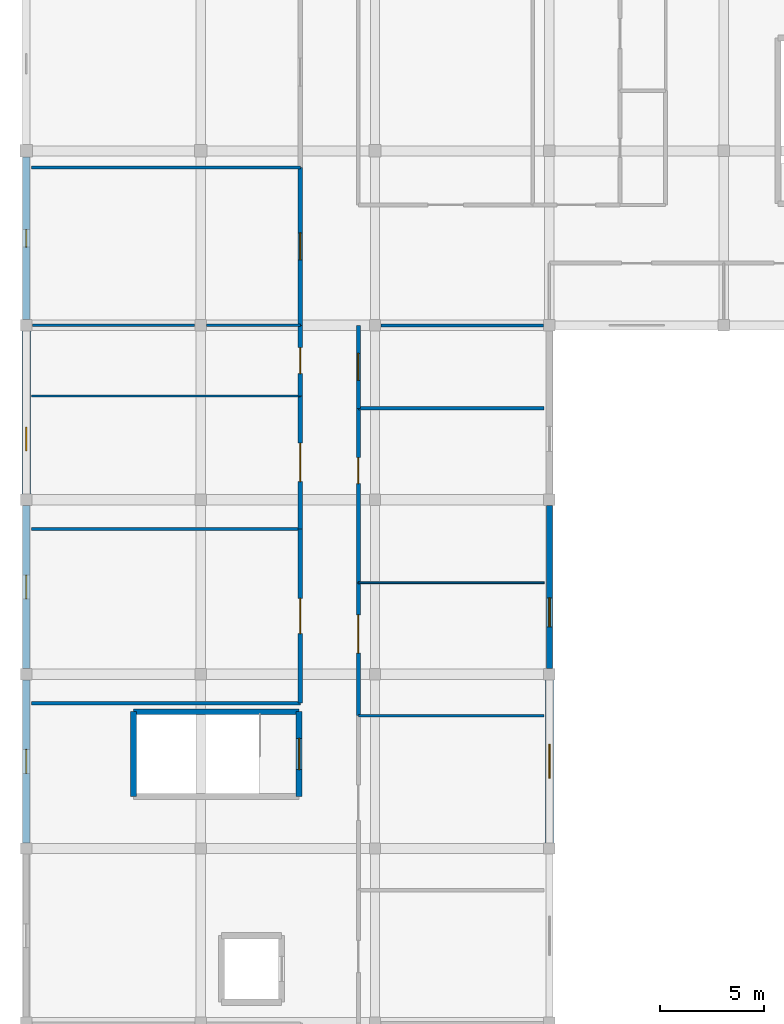
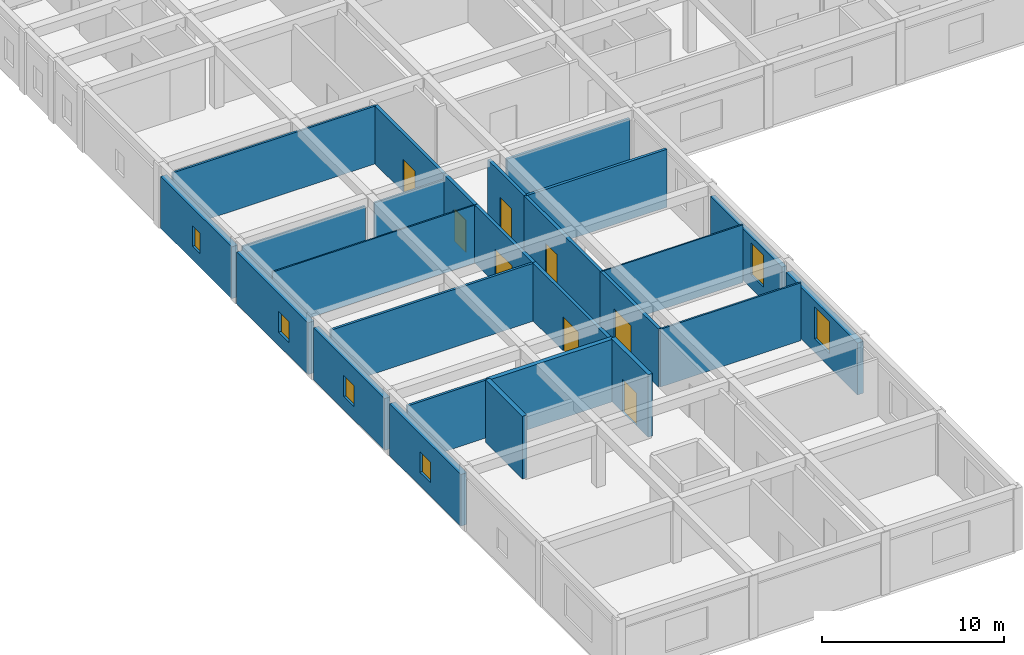
# One storey, part 45 of 77: 26 walls, 8 doors, 6 windows, 14 openings.
"""IFC4 building model written with IfcOpenShell, lengths in metres."""

from ifc_helpers import new_model, si_unit, direction, frame, frame_2d, origin, place, context, subcontext, project, spatial, rectangle, extrude, material, layer, layer_set, type_object, element, fill, save


model = new_model("IFC4")

# Units and contexts
model_context = context("Model", 3, precision=1e-05, world=origin(), true_north=direction((0.0, 1.0)))
body_context = subcontext(model_context, "Body", "Model", "MODEL_VIEW")
ifc_project = project(units=[si_unit("LENGTHUNIT", "METRE"), si_unit("AREAUNIT", "SQUARE_METRE"), si_unit("VOLUMEUNIT", "CUBIC_METRE"), si_unit("PLANEANGLEUNIT", "RADIAN"), si_unit("MASSUNIT", "GRAM", prefix="KILO")], contexts=[model_context])

# Site, building, storey
site_placement = place(None, origin())
site = spatial("IfcSite", under=ifc_project, at=site_placement, CompositionType="ELEMENT")
building_placement = place(site_placement, origin())
building = spatial("IfcBuilding", under=site, at=building_placement, Name="Varncliffe General Hospital", CompositionType="ELEMENT")
storey_placement = place(building_placement, frame((0.0, 0.0, 16.199951171875)))
storey = spatial("IfcBuildingStorey", under=building, at=storey_placement, Name="L03", CompositionType="ELEMENT", Elevation=16.199951171875)

# Wall, opening, window
ifc_material_1 = material(Name="Precast concrete C40/50 with insulated cream lime-cement stucco", Category="concrete")
ifc_layer_1 = layer(ifc_material_1, 0.3798828125)
ifc_layer_set_1 = layer_set([ifc_layer_1], Name="Precast concrete C40/50 with insulated cream lime-cement stucco")
wall_type_1 = type_object("IfcWallType", Name="Exterior Insulated Stucco Wall EW26 (380mm)", PredefinedType="SOLIDWALL", material=ifc_layer_set_1)
wall_1_placement = place(storey_placement, frame((25.199951171875, 65.72705078125, 0.0), z_axis=(0.0, 0.0, 1.0), x_axis=(0.0, -1.0, 0.0)))
wall_1 = element("IfcWall", 1, at=wall_1_placement, inside=storey, type_object=wall_type_1, Name="L03 Exterior Stucco Wall EW26-292", PredefinedType="SOLIDWALL", context=body_context, shape_type="SweptSolid", body=[
    extrude(rectangle(XDim=7.85400390625, YDim=0.3798828125, at=frame_2d((3.927001953125, 0.0))), origin(), (0.0, 0.0, 1.0), 3.47998046875),
])
opening_1_placement = place(wall_1_placement, frame((3.10205078125, 0.0, 0.89990234375)))
opening_1 = element("IfcOpeningElement", 2, at=opening_1_placement, cuts=wall_1, Name="Opening WN42", PredefinedType="OPENING", context=body_context, shape_type="SweptSolid", body=[
    extrude(rectangle(XDim=1.64990234375, YDim=2.14990234375, at=frame_2d((0.824951171875, 1.074951171875))), frame((0.0, 0.199951171875, 0.0), z_axis=(0.0, -1.0, 0.0), x_axis=(1.0, 0.0, 0.0)), (0.0, 0.0, 1.0), 0.39990234375),
])
ifc_material_2 = material(Name="Triple low-E argon insulated vision glazing", Category="glass")
window_type_1 = type_object("IfcWindowType", Name="Triple-Glazed Hospital Window WN42 (1650x2150)", PartitioningType="DOUBLE_PANEL_VERTICAL", PredefinedType="WINDOW", material=ifc_material_2)
window_1_placement = place(opening_1_placement, origin())
window_1 = element("IfcWindow", 3, at=window_1_placement, inside=storey, type_object=window_type_1, Name="L03 Hospital Window WN42-211", OverallHeight=2.14990234375, OverallWidth=1.64990234375, PartitioningType="DOUBLE_PANEL_VERTICAL", PredefinedType="WINDOW", context=body_context, shape_type="SweptSolid", body=[
    extrude(rectangle(XDim=1.64990234375, YDim=2.14990234375, at=frame_2d((0.824951171875, 1.074951171875))), frame((0.0, 0.030029296875, 0.0), z_axis=(0.0, -1.0, 0.0), x_axis=(1.0, 0.0, 0.0)), (0.0, 0.0, 1.0), 0.06005859375),
])
fill(opening_1, window_1)

wall_2_placement = place(storey_placement, frame((0.0, 57.873046875, 0.0), z_axis=(0.0, 0.0, 1.0), x_axis=(0.0, 1.0, 0.0)))
wall_2 = element("IfcWall", 4, at=wall_2_placement, inside=storey, type_object=wall_type_1, Name="L03 Exterior Stucco Wall EW26-300", PredefinedType="SOLIDWALL", context=body_context, shape_type="SweptSolid", body=[
    extrude(rectangle(XDim=7.85400390625, YDim=0.3798828125, at=frame_2d((3.927001953125, 0.0))), origin(), (0.0, 0.0, 1.0), 3.47998046875),
])
opening_2_placement = place(wall_2_placement, frame((3.35205078125, 0.0, 0.89990234375)))
opening_2 = element("IfcOpeningElement", 5, at=opening_2_placement, cuts=wall_2, Name="Opening WN62", PredefinedType="OPENING", context=body_context, shape_type="SweptSolid", body=[
    extrude(rectangle(XDim=1.14990234375, YDim=1.39990234375, at=frame_2d((0.574951171875, 0.699951171875))), frame((0.0, 0.199951171875, 0.0), z_axis=(0.0, -1.0, 0.0), x_axis=(1.0, 0.0, 0.0)), (0.0, 0.0, 1.0), 0.39990234375),
])
window_type_2 = type_object("IfcWindowType", Name="Triple-Glazed Hospital Window WN62 (1150x1400)", PartitioningType="SINGLE_PANEL", PredefinedType="WINDOW", material=ifc_material_2)
window_2_placement = place(opening_2_placement, origin())
window_2 = element("IfcWindow", 6, at=window_2_placement, inside=storey, type_object=window_type_2, Name="L03 Hospital Window WN62-218", OverallHeight=1.39990234375, OverallWidth=1.14990234375, PartitioningType="SINGLE_PANEL", PredefinedType="WINDOW", context=body_context, shape_type="SweptSolid", body=[
    extrude(rectangle(XDim=1.14990234375, YDim=1.39990234375, at=frame_2d((0.574951171875, 0.699951171875))), frame((0.0, 0.030029296875, 0.0), z_axis=(0.0, -1.0, 0.0), x_axis=(1.0, 0.0, 0.0)), (0.0, 0.0, 1.0), 0.06005859375),
])
fill(opening_2, window_2)

wall_3_placement = place(storey_placement, frame((0.0, 83.072998046875, 0.0), z_axis=(0.0, 0.0, 1.0), x_axis=(0.0, 1.0, 0.0)))
wall_3 = element("IfcWall", 7, at=wall_3_placement, inside=storey, type_object=wall_type_1, Name="L03 Exterior Stucco Wall EW26-303", PredefinedType="SOLIDWALL", context=body_context, shape_type="SweptSolid", body=[
    extrude(rectangle(XDim=7.8291015625, YDim=0.3798828125, at=frame_2d((3.91455078125, 0.0))), origin(), (0.0, 0.0, 1.0), 3.47998046875),
])
opening_3_placement = place(wall_3_placement, frame((3.489501953125, 0.0, 0.89990234375)))
opening_3 = element("IfcOpeningElement", 8, at=opening_3_placement, cuts=wall_3, Name="Opening WN77", PredefinedType="OPENING", context=body_context, shape_type="SweptSolid", body=[
    extrude(rectangle(XDim=0.85009765625, YDim=1.39990234375, at=frame_2d((0.425048828125, 0.699951171875))), frame((0.0, 0.199951171875, 0.0), z_axis=(0.0, -1.0, 0.0), x_axis=(1.0, 0.0, 0.0)), (0.0, 0.0, 1.0), 0.39990234375),
])
window_type_3 = type_object("IfcWindowType", Name="Triple-Glazed Hospital Window WN77 (850x1400)", PartitioningType="SINGLE_PANEL", PredefinedType="WINDOW", material=ifc_material_2)
window_3_placement = place(opening_3_placement, origin())
window_3 = element("IfcWindow", 9, at=window_3_placement, inside=storey, type_object=window_type_3, Name="L03 Hospital Window WN77-221", OverallHeight=1.39990234375, OverallWidth=0.85009765625, PartitioningType="SINGLE_PANEL", PredefinedType="WINDOW", context=body_context, shape_type="SweptSolid", body=[
    extrude(rectangle(XDim=0.85009765625, YDim=1.39990234375, at=frame_2d((0.425048828125, 0.699951171875))), frame((0.0, 0.030029296875, 0.0), z_axis=(0.0, -1.0, 0.0), x_axis=(1.0, 0.0, 0.0)), (0.0, 0.0, 1.0), 0.06005859375),
])
fill(opening_3, window_3)

ifc_layer_2 = layer(ifc_material_1, 0.2900390625)
ifc_layer_set_2 = layer_set([ifc_layer_2], Name="Precast concrete C40/50 with insulated cream lime-cement stucco")
wall_type_2 = type_object("IfcWallType", Name="Exterior Insulated Stucco Wall EW31 (290mm)", PredefinedType="SOLIDWALL", material=ifc_layer_set_2)
wall_4_placement = place(storey_placement, frame((25.199951171875, 74.126953125, 0.0), z_axis=(0.0, 0.0, 1.0), x_axis=(0.0, -1.0, 0.0)))
wall_4 = element("IfcWall", 10, at=wall_4_placement, inside=storey, type_object=wall_type_2, Name="L03 Exterior Stucco Wall EW31-291", PredefinedType="SOLIDWALL", context=body_context, shape_type="SweptSolid", body=[
    extrude(rectangle(XDim=7.85400390625, YDim=0.2900390625, at=frame_2d((3.927001953125, 0.0))), origin(), (0.0, 0.0, 1.0), 3.47998046875),
])
opening_4_placement = place(wall_4_placement, frame((4.448974609375, 0.0, 0.89990234375)))
opening_4 = element("IfcOpeningElement", 11, at=opening_4_placement, cuts=wall_4, Name="Opening WN11", PredefinedType="OPENING", context=body_context, shape_type="SweptSolid", body=[
    extrude(rectangle(XDim=1.39990234375, YDim=2.14990234375, at=frame_2d((0.699951171875, 1.074951171875))), frame((0.0, 0.155029296875, 0.0), z_axis=(0.0, -1.0, 0.0), x_axis=(1.0, 0.0, 0.0)), (0.0, 0.0, 1.0), 0.31005859375),
])
window_type_4 = type_object("IfcWindowType", Name="Triple-Glazed Hospital Window WN11 (1400x2150)", PartitioningType="SINGLE_PANEL", PredefinedType="WINDOW", material=ifc_material_2)
window_4_placement = place(opening_4_placement, origin())
window_4 = element("IfcWindow", 12, at=window_4_placement, inside=storey, type_object=window_type_4, Name="L03 Hospital Window WN11-210", OverallHeight=2.14990234375, OverallWidth=1.39990234375, PartitioningType="SINGLE_PANEL", PredefinedType="WINDOW", context=body_context, shape_type="SweptSolid", body=[
    extrude(rectangle(XDim=1.39990234375, YDim=2.14990234375, at=frame_2d((0.699951171875, 1.074951171875))), frame((0.0, 0.030029296875, 0.0), z_axis=(0.0, -1.0, 0.0), x_axis=(1.0, 0.0, 0.0)), (0.0, 0.0, 1.0), 0.06005859375),
])
fill(opening_4, window_4)

ifc_layer_3 = layer(ifc_material_1, 0.35009765625)
ifc_layer_set_3 = layer_set([ifc_layer_3], Name="Precast concrete C40/50 with insulated cream lime-cement stucco")
wall_type_3 = type_object("IfcWallType", Name="Exterior Insulated Stucco Wall EW37 (350mm)", PredefinedType="SOLIDWALL", material=ifc_layer_set_3)
wall_5_placement = place(storey_placement, frame((0.0, 66.27294921875, 0.0), z_axis=(0.0, 0.0, 1.0), x_axis=(0.0, 1.0, 0.0)))
wall_5 = element("IfcWall", 13, at=wall_5_placement, inside=storey, type_object=wall_type_3, Name="L03 Exterior Stucco Wall EW37-301", PredefinedType="SOLIDWALL", context=body_context, shape_type="SweptSolid", body=[
    extrude(rectangle(XDim=7.85400390625, YDim=0.35009765625, at=frame_2d((3.927001953125, 0.0))), origin(), (0.0, 0.0, 1.0), 3.47998046875),
])
opening_5_placement = place(wall_5_placement, frame((3.35205078125, 0.0, 0.89990234375)))
opening_5 = element("IfcOpeningElement", 14, at=opening_5_placement, cuts=wall_5, Name="Opening WN62", PredefinedType="OPENING", context=body_context, shape_type="SweptSolid", body=[
    extrude(rectangle(XDim=1.14990234375, YDim=1.39990234375, at=frame_2d((0.574951171875, 0.699951171875))), frame((0.0, 0.18505859375, 0.0), z_axis=(0.0, -1.0, 0.0), x_axis=(1.0, 0.0, 0.0)), (0.0, 0.0, 1.0), 0.3701171875),
])
window_5_placement = place(opening_5_placement, origin())
window_5 = element("IfcWindow", 15, at=window_5_placement, inside=storey, type_object=window_type_2, Name="L03 Hospital Window WN62-219", OverallHeight=1.39990234375, OverallWidth=1.14990234375, PartitioningType="SINGLE_PANEL", PredefinedType="WINDOW", context=body_context, shape_type="SweptSolid", body=[
    extrude(rectangle(XDim=1.14990234375, YDim=1.39990234375, at=frame_2d((0.574951171875, 0.699951171875))), frame((0.0, 0.030029296875, 0.0), z_axis=(0.0, -1.0, 0.0), x_axis=(1.0, 0.0, 0.0)), (0.0, 0.0, 1.0), 0.06005859375),
])
fill(opening_5, window_5)

ifc_layer_4 = layer(ifc_material_1, 0.39990234375)
ifc_layer_set_4 = layer_set([ifc_layer_4], Name="Precast concrete C40/50 with insulated cream lime-cement stucco")
wall_type_4 = type_object("IfcWallType", Name="Exterior Insulated Stucco Wall EW47 (400mm)", PredefinedType="SOLIDWALL", material=ifc_layer_set_4)
wall_6_placement = place(storey_placement, frame((0.0, 74.673095703125, 0.0), z_axis=(0.0, 0.0, 1.0), x_axis=(0.0, 1.0, 0.0)))
wall_6 = element("IfcWall", 16, at=wall_6_placement, inside=storey, type_object=wall_type_4, Name="L03 Exterior Stucco Wall EW47-302", PredefinedType="SOLIDWALL", context=body_context, shape_type="SweptSolid", body=[
    extrude(rectangle(XDim=7.85400390625, YDim=0.39990234375, at=frame_2d((3.927001953125, 0.0))), origin(), (0.0, 0.0, 1.0), 3.47998046875),
])
opening_6_placement = place(wall_6_placement, frame((2.0751953125, 0.0, 0.89990234375)))
opening_6 = element("IfcOpeningElement", 17, at=opening_6_placement, cuts=wall_6, Name="Opening WN62", PredefinedType="OPENING", context=body_context, shape_type="SweptSolid", body=[
    extrude(rectangle(XDim=1.14990234375, YDim=1.39990234375, at=frame_2d((0.574951171875, 0.699951171875))), frame((0.0, 0.2099609375, 0.0), z_axis=(0.0, -1.0, 0.0), x_axis=(1.0, 0.0, 0.0)), (0.0, 0.0, 1.0), 0.419921875),
])
window_6_placement = place(opening_6_placement, origin())
window_6 = element("IfcWindow", 18, at=window_6_placement, inside=storey, type_object=window_type_2, Name="L03 Hospital Window WN62-220", OverallHeight=1.39990234375, OverallWidth=1.14990234375, PartitioningType="SINGLE_PANEL", PredefinedType="WINDOW", context=body_context, shape_type="SweptSolid", body=[
    extrude(rectangle(XDim=1.14990234375, YDim=1.39990234375, at=frame_2d((0.574951171875, 0.699951171875))), frame((0.0, 0.030029296875, 0.0), z_axis=(0.0, -1.0, 0.0), x_axis=(1.0, 0.0, 0.0)), (0.0, 0.0, 1.0), 0.06005859375),
])
fill(opening_6, window_6)

# Walls
ifc_material_3 = material(Name="Acoustic clinical gypsum stud partition assembly", Category="gypsum")
ifc_layer_5 = layer(ifc_material_3, 0.1298828125)
ifc_layer_set_5 = layer_set([ifc_layer_5], Name="Acoustic clinical gypsum stud partition assembly")
wall_type_5 = type_object("IfcWallType", Name="Interior Partitioning IW11 (130mm)", PredefinedType="PARTITIONING", material=ifc_layer_set_5)
wall_7_placement = place(storey_placement, frame((0.260009765625, 90.39990234375, 0.0), z_axis=(0.0, 0.0, 1.0), x_axis=(1.0, 0.0, 0.0)))
element("IfcWall", 19, at=wall_7_placement, inside=storey, type_object=wall_type_5, Name="L03 Interior Partition Wall IW11-1393", PredefinedType="PARTITIONING", context=body_context, shape_type="SweptSolid", body=[
    extrude(rectangle(XDim=12.93994140625, YDim=0.1298828125, at=frame_2d((6.469970703125, 0.0))), origin(), (0.0, 0.0, 1.0), 3.89013671875),
])
ifc_layer_6 = layer(ifc_material_3, 0.169921875)
ifc_layer_set_6 = layer_set([ifc_layer_6], Name="Acoustic clinical gypsum stud partition assembly")
wall_type_6 = type_object("IfcWallType", Name="Interior Partitioning IW20 (170mm)", PredefinedType="PARTITIONING", material=ifc_layer_set_6)
wall_8_placement = place(storey_placement, frame((16.0, 78.800048828125, 0.0), z_axis=(0.0, 0.0, 1.0), x_axis=(1.0, 0.0, 0.0)))
element("IfcWall", 20, at=wall_8_placement, inside=storey, type_object=wall_type_6, Name="L03 Interior Partition Wall IW20-1355", PredefinedType="PARTITIONING", context=body_context, shape_type="SweptSolid", body=[
    extrude(rectangle(XDim=8.93994140625, YDim=0.169921875, at=frame_2d((4.469970703125, 0.0))), origin(), (0.0, 0.0, 1.0), 3.89013671875),
])
ifc_layer_7 = layer(ifc_material_3, 0.14990234375)
ifc_layer_set_7 = layer_set([ifc_layer_7], Name="Acoustic clinical gypsum stud partition assembly")
wall_type_7 = type_object("IfcWallType", Name="Interior Partitioning IW35 (150mm)", PredefinedType="PARTITIONING", material=ifc_layer_set_7)
for number, where, z_axis, x_axis, name in (
    (21, (0.260009765625, 64.60009765625, 0.0), (0.0, 0.0, 1.0), (1.0, 0.0, 0.0), "L03 Interior Partition Wall IW35-1349"),
    (22, (0.260009765625, 73.0, 0.0), (0.0, 0.0, 1.0), (1.0, 0.0, 0.0), "L03 Interior Partition Wall IW35-1354"),
):
    element("IfcWall", number, at=place(storey_placement, frame(where, z_axis=z_axis, x_axis=x_axis)), inside=storey, type_object=wall_type_7, Name=name, PredefinedType="PARTITIONING", context=body_context, shape_type="SweptSolid", body=[
        extrude(rectangle(XDim=12.93994140625, YDim=0.14990234375, at=frame_2d((6.469970703125, 0.0))), origin(), (0.0, 0.0, 1.0), 3.89013671875),
    ])
wall_9_placement = place(storey_placement, frame((17.090087890625, 82.800048828125, 0.0), z_axis=(0.0, 0.0, 1.0), x_axis=(1.0, 0.0, 0.0)))
element("IfcWall", 23, at=wall_9_placement, inside=storey, type_object=wall_type_7, Name="L03 Interior Partition Wall IW35-1359", PredefinedType="PARTITIONING", context=body_context, shape_type="SweptSolid", body=[
    extrude(rectangle(XDim=7.81982421875, YDim=0.14990234375, at=frame_2d((3.909912109375, 0.0))), origin(), (0.0, 0.0, 1.0), 3.53515625),
])
ifc_layer_8 = layer(ifc_material_3, 0.090087890625)
ifc_layer_set_8 = layer_set([ifc_layer_8], Name="Acoustic clinical gypsum stud partition assembly")
wall_type_8 = type_object("IfcWallType", Name="Interior Partitioning IW42 (90mm)", PredefinedType="PARTITIONING", material=ifc_layer_set_8)
wall_10_placement = place(storey_placement, frame((16.0, 70.39990234375, 0.0), z_axis=(0.0, 0.0, 1.0), x_axis=(1.0, 0.0, 0.0)))
element("IfcWall", 24, at=wall_10_placement, inside=storey, type_object=wall_type_8, Name="L03 Interior Partition Wall IW42-1351", PredefinedType="PARTITIONING", context=body_context, shape_type="SweptSolid", body=[
    extrude(rectangle(XDim=8.93994140625, YDim=0.090087890625, at=frame_2d((4.469970703125, 0.0))), origin(), (0.0, 0.0, 1.0), 3.89013671875),
])
wall_11_placement = place(storey_placement, frame((0.260009765625, 79.39990234375, 0.0), z_axis=(0.0, 0.0, 1.0), x_axis=(1.0, 0.0, 0.0)))
element("IfcWall", 25, at=wall_11_placement, inside=storey, type_object=wall_type_8, Name="L03 Interior Partition Wall IW42-1356", PredefinedType="PARTITIONING", context=body_context, shape_type="SweptSolid", body=[
    extrude(rectangle(XDim=12.93994140625, YDim=0.090087890625, at=frame_2d((6.469970703125, 0.0))), origin(), (0.0, 0.0, 1.0), 3.89013671875),
])
ifc_layer_9 = layer(ifc_material_3, 0.110107421875)
ifc_layer_set_9 = layer_set([ifc_layer_9], Name="Acoustic clinical gypsum stud partition assembly")
wall_type_9 = type_object("IfcWallType", Name="Interior Partitioning IW65 (110mm)", PredefinedType="PARTITIONING", material=ifc_layer_set_9)
wall_12_placement = place(storey_placement, frame((16.0, 64.0, 0.0), z_axis=(0.0, 0.0, 1.0), x_axis=(1.0, 0.0, 0.0)))
element("IfcWall", 26, at=wall_12_placement, inside=storey, type_object=wall_type_9, Name="L03 Interior Partition Wall IW65-1347", PredefinedType="PARTITIONING", context=body_context, shape_type="SweptSolid", body=[
    extrude(rectangle(XDim=8.93994140625, YDim=0.110107421875, at=frame_2d((4.469970703125, 0.0))), origin(), (0.0, 0.0, 1.0), 3.89013671875),
])
wall_13_placement = place(storey_placement, frame((0.2900390625, 82.800048828125, 0.0), z_axis=(0.0, 0.0, 1.0), x_axis=(1.0, 0.0, 0.0)))
element("IfcWall", 27, at=wall_13_placement, inside=storey, type_object=wall_type_9, Name="L03 Interior Partition Wall IW65-1357", PredefinedType="PARTITIONING", context=body_context, shape_type="SweptSolid", body=[
    extrude(rectangle(XDim=7.820068359375, YDim=0.110107421875, at=frame_2d((3.91015625, 0.0))), origin(), (0.0, 0.0, 1.0), 3.53515625),
])
wall_14_placement = place(storey_placement, frame((8.68994140625, 82.800048828125, 0.0), z_axis=(0.0, 0.0, 1.0), x_axis=(1.0, 0.0, 0.0)))
element("IfcWall", 28, at=wall_14_placement, inside=storey, type_object=wall_type_9, Name="L03 Interior Partition Wall IW65-1358", PredefinedType="PARTITIONING", context=body_context, shape_type="SweptSolid", body=[
    extrude(rectangle(XDim=4.510009765625, YDim=0.110107421875, at=frame_2d((2.2548828125, 0.0))), origin(), (0.0, 0.0, 1.0), 3.53515625),
])

# Wall, opening, door
ifc_material_4 = material(Name="Fire-rated gypsum and mineral-wool partition assembly", Category="gypsum")
ifc_layer_10 = layer(ifc_material_4, 0.199951171875)
ifc_layer_set_10 = layer_set([ifc_layer_10], Name="Fire-rated gypsum and mineral-wool partition assembly")
wall_type_10 = type_object("IfcWallType", Name="Interior Partitioning PW63 (200mm)", PredefinedType="PARTITIONING", material=ifc_layer_set_10)
wall_15_placement = place(storey_placement, frame((13.199951171875, 64.60009765625, 0.0), z_axis=(0.0, 0.0, 1.0), x_axis=(0.0, 1.0, 0.0)))
wall_15 = element("IfcWall", 29, at=wall_15_placement, inside=storey, type_object=wall_type_10, Name="L03 Interior Partition Wall PW63-1519", PredefinedType="PARTITIONING", context=body_context, shape_type="SweptSolid", body=[
    extrude(rectangle(XDim=8.39990234375, YDim=0.199951171875, at=frame_2d((4.199951171875, 0.0))), origin(), (0.0, 0.0, 1.0), 3.89013671875),
])
opening_7_placement = place(wall_15_placement, frame((3.35009765625, 0.0, 0.0)))
opening_7 = element("IfcOpeningElement", 30, at=opening_7_placement, cuts=wall_15, Name="Opening DC50", PredefinedType="OPENING", context=body_context, shape_type="SweptSolid", body=[
    extrude(rectangle(XDim=1.699951171875, YDim=2.300048828125, at=frame_2d((0.85009765625, 1.14990234375))), frame((0.0, 0.10986328125, 0.0), z_axis=(0.0, -1.0, 0.0), x_axis=(1.0, 0.0, 0.0)), (0.0, 0.0, 1.0), 0.219970703125),
])
ifc_material_5 = material(Name="Fire-rated hospital steel-frame vision-panel door", Category="steel")
door_type_1 = type_object("IfcDoorType", Name="Interior Hospital Door DC50 (1700x2300)", OperationType="NOTDEFINED", PredefinedType="DOOR", material=ifc_material_5)
door_1_placement = place(opening_7_placement, origin())
door_1 = element("IfcDoor", 31, at=door_1_placement, inside=storey, type_object=door_type_1, Name="L03 Interventional Cardiology Cath Suite 34 Door", OperationType="SINGLE_SWING_RIGHT", OverallHeight=2.300048828125, OverallWidth=1.699951171875, PredefinedType="DOOR", context=body_context, shape_type="SweptSolid", body=[
    extrude(rectangle(XDim=1.699951171875, YDim=2.300048828125, at=frame_2d((0.85009765625, 1.14990234375))), frame((0.0, 0.02490234375, 0.0), z_axis=(0.0, -1.0, 0.0), x_axis=(1.0, 0.0, 0.0)), (0.0, 0.0, 1.0), 0.050048828125),
])
fill(opening_7, door_1)

wall_16_placement = place(storey_placement, frame((13.199951171875, 73.0, 0.0), z_axis=(0.0, 0.0, 1.0), x_axis=(0.0, 1.0, 0.0)))
wall_16 = element("IfcWall", 32, at=wall_16_placement, inside=storey, type_object=wall_type_10, Name="L03 Interior Partition Wall PW63-1520", PredefinedType="PARTITIONING", context=body_context, shape_type="SweptSolid", body=[
    extrude(rectangle(XDim=6.39990234375, YDim=0.199951171875, at=frame_2d((3.199951171875, 0.0))), origin(), (0.0, 0.0, 1.0), 3.89013671875),
])
opening_8_placement = place(wall_16_placement, frame((2.27490234375, 0.0, 0.0)))
opening_8 = element("IfcOpeningElement", 33, at=opening_8_placement, cuts=wall_16, Name="Opening DC38", PredefinedType="OPENING", context=body_context, shape_type="SweptSolid", body=[
    extrude(rectangle(XDim=1.85009765625, YDim=2.300048828125, at=frame_2d((0.925048828125, 1.14990234375))), frame((0.0, 0.10986328125, 0.0), z_axis=(0.0, -1.0, 0.0), x_axis=(1.0, 0.0, 0.0)), (0.0, 0.0, 1.0), 0.219970703125),
])
door_type_2 = type_object("IfcDoorType", Name="Interior Hospital Door DC38 (1850x2300)", OperationType="NOTDEFINED", PredefinedType="DOOR", material=ifc_material_5)
door_2_placement = place(opening_8_placement, origin())
door_2 = element("IfcDoor", 34, at=door_2_placement, inside=storey, type_object=door_type_2, Name="L03 Step-Down Intensive Care Room 35 Door", OperationType="SINGLE_SWING_LEFT", OverallHeight=2.300048828125, OverallWidth=1.85009765625, PredefinedType="DOOR", context=body_context, shape_type="SweptSolid", body=[
    extrude(rectangle(XDim=1.85009765625, YDim=2.300048828125, at=frame_2d((0.925048828125, 1.14990234375))), frame((0.0, 0.02490234375, 0.0), z_axis=(0.0, -1.0, 0.0), x_axis=(1.0, 0.0, 0.0)), (0.0, 0.0, 1.0), 0.050048828125),
])
fill(opening_8, door_2)

wall_17_placement = place(storey_placement, frame((13.199951171875, 79.39990234375, 0.0), z_axis=(0.0, 0.0, 1.0), x_axis=(0.0, 1.0, 0.0)))
wall_17 = element("IfcWall", 35, at=wall_17_placement, inside=storey, type_object=wall_type_10, Name="L03 Interior Partition Wall PW63-1521", PredefinedType="PARTITIONING", context=body_context, shape_type="SweptSolid", body=[
    extrude(rectangle(XDim=3.400146484375, YDim=0.199951171875, at=frame_2d((1.7001953125, 0.0))), origin(), (0.0, 0.0, 1.0), 3.89013671875),
])
opening_9_placement = place(wall_17_placement, frame((1.074951171875, 0.0, 0.0)))
opening_9 = element("IfcOpeningElement", 36, at=opening_9_placement, cuts=wall_17, Name="Opening DC44", PredefinedType="OPENING", context=body_context, shape_type="SweptSolid", body=[
    extrude(rectangle(XDim=1.25, YDim=2.14990234375, at=frame_2d((0.625, 1.074951171875))), frame((0.0, 0.10986328125, 0.0), z_axis=(0.0, -1.0, 0.0), x_axis=(1.0, 0.0, 0.0)), (0.0, 0.0, 1.0), 0.219970703125),
])
door_type_3 = type_object("IfcDoorType", Name="Interior Hospital Door DC44 (1250x2150)", OperationType="NOTDEFINED", PredefinedType="DOOR", material=ifc_material_5)
door_3_placement = place(opening_9_placement, origin())
door_3 = element("IfcDoor", 37, at=door_3_placement, inside=storey, type_object=door_type_3, Name="L03 Interventional Cardiology Cath Suite 36 Door", OperationType="SINGLE_SWING_RIGHT", OverallHeight=2.14990234375, OverallWidth=1.25, PredefinedType="DOOR", context=body_context, shape_type="SweptSolid", body=[
    extrude(rectangle(XDim=1.25, YDim=2.14990234375, at=frame_2d((0.625, 1.074951171875))), frame((0.0, 0.02490234375, 0.0), z_axis=(0.0, -1.0, 0.0), x_axis=(1.0, 0.0, 0.0)), (0.0, 0.0, 1.0), 0.050048828125),
])
fill(opening_9, door_3)

wall_18_placement = place(storey_placement, frame((13.199951171875, 82.800048828125, 0.0), z_axis=(0.0, 0.0, 1.0), x_axis=(0.0, 1.0, 0.0)))
wall_18 = element("IfcWall", 38, at=wall_18_placement, inside=storey, type_object=wall_type_10, Name="L03 Interior Partition Wall PW63-1522", PredefinedType="PARTITIONING", context=body_context, shape_type="SweptSolid", body=[
    extrude(rectangle(XDim=7.599853515625, YDim=0.199951171875, at=frame_2d((3.7998046875, 0.0))), origin(), (0.0, 0.0, 1.0), 3.89013671875),
])
opening_10_placement = place(wall_18_placement, frame((3.14990234375, 0.0, 0.0)))
opening_10 = element("IfcOpeningElement", 39, at=opening_10_placement, cuts=wall_18, Name="Opening DC88", PredefinedType="OPENING", context=body_context, shape_type="SweptSolid", body=[
    extrude(rectangle(XDim=1.300048828125, YDim=2.199951171875, at=frame_2d((0.64990234375, 1.10009765625))), frame((0.0, 0.10986328125, 0.0), z_axis=(0.0, -1.0, 0.0), x_axis=(1.0, 0.0, 0.0)), (0.0, 0.0, 1.0), 0.219970703125),
])
door_type_4 = type_object("IfcDoorType", Name="Interior Hospital Door DC88 (1300x2200)", OperationType="NOTDEFINED", PredefinedType="DOOR", material=ifc_material_5)
door_4_placement = place(opening_10_placement, origin())
door_4 = element("IfcDoor", 40, at=door_4_placement, inside=storey, type_object=door_type_4, Name="L03 Orthopaedic Inpatient Ward Suite 141 Door", OperationType="SINGLE_SWING_LEFT", OverallHeight=2.199951171875, OverallWidth=1.300048828125, PredefinedType="DOOR", context=body_context, shape_type="SweptSolid", body=[
    extrude(rectangle(XDim=1.300048828125, YDim=2.199951171875, at=frame_2d((0.64990234375, 1.10009765625))), frame((0.0, 0.02490234375, 0.0), z_axis=(0.0, -1.0, 0.0), x_axis=(1.0, 0.0, 0.0)), (0.0, 0.0, 1.0), 0.050048828125),
])
fill(opening_10, door_4)

wall_19_placement = place(storey_placement, frame((16.0, 64.0, 0.0), z_axis=(0.0, 0.0, 1.0), x_axis=(0.0, 1.0, 0.0)))
wall_19 = element("IfcWall", 41, at=wall_19_placement, inside=storey, type_object=wall_type_10, Name="L03 Interior Partition Wall PW63-1527", PredefinedType="PARTITIONING", context=body_context, shape_type="SweptSolid", body=[
    extrude(rectangle(XDim=6.39990234375, YDim=0.199951171875, at=frame_2d((3.199951171875, 0.0))), origin(), (0.0, 0.0, 1.0), 3.89013671875),
])
opening_11_placement = place(wall_19_placement, frame((3.007568359375, 0.0, 0.0)))
opening_11 = element("IfcOpeningElement", 42, at=opening_11_placement, cuts=wall_19, Name="Opening DC38", PredefinedType="OPENING", context=body_context, shape_type="SweptSolid", body=[
    extrude(rectangle(XDim=1.85009765625, YDim=2.300048828125, at=frame_2d((0.925048828125, 1.14990234375))), frame((0.0, 0.10986328125, 0.0), z_axis=(0.0, -1.0, 0.0), x_axis=(1.0, 0.0, 0.0)), (0.0, 0.0, 1.0), 0.219970703125),
])
door_5_placement = place(opening_11_placement, frame((1.85009765625, 0.0, 0.0), z_axis=(0.0, 0.0, 1.0), x_axis=(-1.0, 0.0, 0.0)))
door_5 = element("IfcDoor", 43, at=door_5_placement, inside=storey, type_object=door_type_2, Name="L03 Step-Down Intensive Care Room 40 Door", OperationType="SINGLE_SWING_RIGHT", OverallHeight=2.300048828125, OverallWidth=1.85009765625, PredefinedType="DOOR", context=body_context, shape_type="SweptSolid", body=[
    extrude(rectangle(XDim=1.85009765625, YDim=2.300048828125, at=frame_2d((0.925048828125, 1.14990234375))), frame((0.0, 0.02490234375, 0.0), z_axis=(0.0, -1.0, 0.0), x_axis=(1.0, 0.0, 0.0)), (0.0, 0.0, 1.0), 0.050048828125),
])
fill(opening_11, door_5)

wall_20_placement = place(storey_placement, frame((16.0, 70.39990234375, 0.0), z_axis=(0.0, 0.0, 1.0), x_axis=(0.0, 1.0, 0.0)))
wall_20 = element("IfcWall", 44, at=wall_20_placement, inside=storey, type_object=wall_type_10, Name="L03 Interior Partition Wall PW63-1528", PredefinedType="PARTITIONING", context=body_context, shape_type="SweptSolid", body=[
    extrude(rectangle(XDim=8.400146484375, YDim=0.199951171875, at=frame_2d((4.2001953125, 0.0))), origin(), (0.0, 0.0, 1.0), 3.89013671875),
])
opening_12_placement = place(wall_20_placement, frame((4.775634765625, 0.0, 0.0)))
opening_12 = element("IfcOpeningElement", 45, at=opening_12_placement, cuts=wall_20, Name="Opening DC44", PredefinedType="OPENING", context=body_context, shape_type="SweptSolid", body=[
    extrude(rectangle(XDim=1.25, YDim=2.14990234375, at=frame_2d((0.625, 1.074951171875))), frame((0.0, 0.10986328125, 0.0), z_axis=(0.0, -1.0, 0.0), x_axis=(1.0, 0.0, 0.0)), (0.0, 0.0, 1.0), 0.219970703125),
])
door_6_placement = place(opening_12_placement, frame((1.25, 0.0, 0.0), z_axis=(0.0, 0.0, 1.0), x_axis=(-1.0, 0.0, 0.0)))
door_6 = element("IfcDoor", 46, at=door_6_placement, inside=storey, type_object=door_type_3, Name="L03 Interventional Cardiology Cath Suite 41 Door", OperationType="SINGLE_SWING_LEFT", OverallHeight=2.14990234375, OverallWidth=1.25, PredefinedType="DOOR", context=body_context, shape_type="SweptSolid", body=[
    extrude(rectangle(XDim=1.25, YDim=2.14990234375, at=frame_2d((0.625, 1.074951171875))), frame((0.0, 0.02490234375, 0.0), z_axis=(0.0, -1.0, 0.0), x_axis=(1.0, 0.0, 0.0)), (0.0, 0.0, 1.0), 0.050048828125),
])
fill(opening_12, door_6)

wall_21_placement = place(storey_placement, frame((16.0, 78.800048828125, 0.0), z_axis=(0.0, 0.0, 1.0), x_axis=(0.0, 1.0, 0.0)))
wall_21 = element("IfcWall", 47, at=wall_21_placement, inside=storey, type_object=wall_type_10, Name="L03 Interior Partition Wall PW63-1529", PredefinedType="PARTITIONING", context=body_context, shape_type="SweptSolid", body=[
    extrude(rectangle(XDim=4.0, YDim=0.199951171875, at=frame_2d((2.0, 0.0))), origin(), (0.0, 0.0, 1.0), 3.89013671875),
])
opening_13_placement = place(wall_21_placement, frame((1.35009765625, 0.0, 0.0)))
opening_13 = element("IfcOpeningElement", 48, at=opening_13_placement, cuts=wall_21, Name="Opening DC88", PredefinedType="OPENING", context=body_context, shape_type="SweptSolid", body=[
    extrude(rectangle(XDim=1.300048828125, YDim=2.199951171875, at=frame_2d((0.64990234375, 1.10009765625))), frame((0.0, 0.10986328125, 0.0), z_axis=(0.0, -1.0, 0.0), x_axis=(1.0, 0.0, 0.0)), (0.0, 0.0, 1.0), 0.219970703125),
])
door_7_placement = place(opening_13_placement, frame((1.300048828125, 0.0, 0.0), z_axis=(0.0, 0.0, 1.0), x_axis=(-1.0, 0.0, 0.0)))
door_7 = element("IfcDoor", 49, at=door_7_placement, inside=storey, type_object=door_type_4, Name="L03 Step-Down Intensive Care Room 42 Door", OperationType="SINGLE_SWING_RIGHT", OverallHeight=2.199951171875, OverallWidth=1.300048828125, PredefinedType="DOOR", context=body_context, shape_type="SweptSolid", body=[
    extrude(rectangle(XDim=1.300048828125, YDim=2.199951171875, at=frame_2d((0.64990234375, 1.10009765625))), frame((0.0, 0.02490234375, 0.0), z_axis=(0.0, -1.0, 0.0), x_axis=(1.0, 0.0, 0.0)), (0.0, 0.0, 1.0), 0.050048828125),
])
fill(opening_13, door_7)

# Walls
ifc_material_6 = material(Name="Concrete C40/50 (CSA A23.1 40 MPa)", Category="concrete")
ifc_layer_11 = layer(ifc_material_6, 0.280029296875)
ifc_layer_set_11 = layer_set([ifc_layer_11], Name="Concrete C40/50 (CSA A23.1 40 MPa)")
wall_type_11 = type_object("IfcWallType", Name="Reinforced Concrete Core Shear Wall CW13 (280mm)", PredefinedType="SHEAR", material=ifc_layer_set_11)
wall_22_placement = place(storey_placement, frame((13.139892578125, 64.18994140625, 0.0), z_axis=(0.0, 0.0, 1.0), x_axis=(-1.0, 0.0, 0.0)))
element("IfcWall", 50, at=wall_22_placement, inside=storey, type_object=wall_type_11, Name="L03 ST05 Core Shear Wall L", PredefinedType="SHEAR", context=body_context, shape_type="SweptSolid", body=[
    extrude(rectangle(XDim=7.97998046875, YDim=0.280029296875, at=frame_2d((3.989990234375, 0.0))), origin(), (0.0, 0.0, 1.0), 4.199951171875),
])
wall_23_placement = place(storey_placement, frame((5.159912109375, 64.18994140625, 0.0), z_axis=(0.0, 0.0, 1.0), x_axis=(0.0, -1.0, 0.0)))
element("IfcWall", 51, at=wall_23_placement, inside=storey, type_object=wall_type_11, Name="L03 ST05 Core Shear Wall F", PredefinedType="SHEAR", context=body_context, shape_type="SweptSolid", body=[
    extrude(rectangle(XDim=4.079833984375, YDim=0.280029296875, at=frame_2d((2.0400390625, 0.0))), origin(), (0.0, 0.0, 1.0), 4.199951171875),
])

# Wall, opening, door
wall_24_placement = place(storey_placement, frame((13.139892578125, 60.110107421875, 0.0), z_axis=(0.0, 0.0, 1.0), x_axis=(0.0, 1.0, 0.0)))
wall_24 = element("IfcWall", 52, at=wall_24_placement, inside=storey, type_object=wall_type_11, Name="L03 ST05 Core Shear Wall N", PredefinedType="SHEAR", context=body_context, shape_type="SweptSolid", body=[
    extrude(rectangle(XDim=4.079833984375, YDim=0.280029296875, at=frame_2d((2.0400390625, 0.0))), origin(), (0.0, 0.0, 1.0), 4.199951171875),
])
opening_14_placement = place(wall_24_placement, frame((1.2900390625, 0.0, 0.0)))
opening_14 = element("IfcOpeningElement", 53, at=opening_14_placement, cuts=wall_24, Name="Opening DF28", PredefinedType="OPENING", context=body_context, shape_type="SweptSolid", body=[
    extrude(rectangle(XDim=1.5, YDim=2.199951171875, at=frame_2d((0.75, 1.10009765625))), frame((0.0, 0.14990234375, 0.0), z_axis=(0.0, -1.0, 0.0), x_axis=(1.0, 0.0, 0.0)), (0.0, 0.0, 1.0), 0.300048828125),
])
door_type_5 = type_object("IfcDoorType", Name="Interior Hospital Door DF28 (1500x2200)", OperationType="NOTDEFINED", PredefinedType="DOOR", material=ifc_material_5)
door_8_placement = place(opening_14_placement, frame((1.5, 0.0, 0.0), z_axis=(0.0, 0.0, 1.0), x_axis=(-1.0, 0.0, 0.0)))
door_8 = element("IfcDoor", 54, at=door_8_placement, inside=storey, type_object=door_type_5, Name="L03 ST05 Protected Exit Stair Door", OperationType="SINGLE_SWING_LEFT", OverallHeight=2.199951171875, OverallWidth=1.5, PredefinedType="DOOR", context=body_context, shape_type="SweptSolid", body=[
    extrude(rectangle(XDim=1.5, YDim=2.199951171875, at=frame_2d((0.75, 1.10009765625))), frame((0.0, 0.02490234375, 0.0), z_axis=(0.0, -1.0, 0.0), x_axis=(1.0, 0.0, 0.0)), (0.0, 0.0, 1.0), 0.050048828125),
])
fill(opening_14, door_8)

save(model, "model.ifc")
